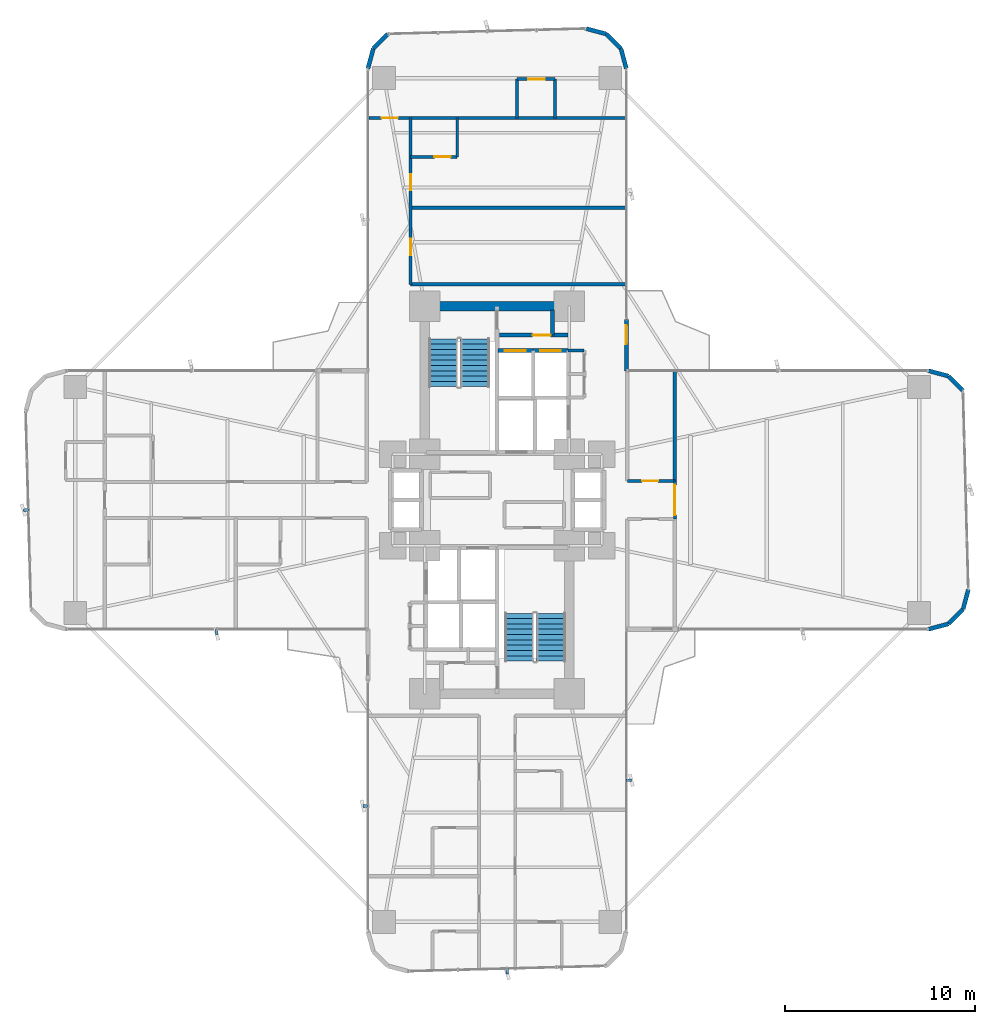
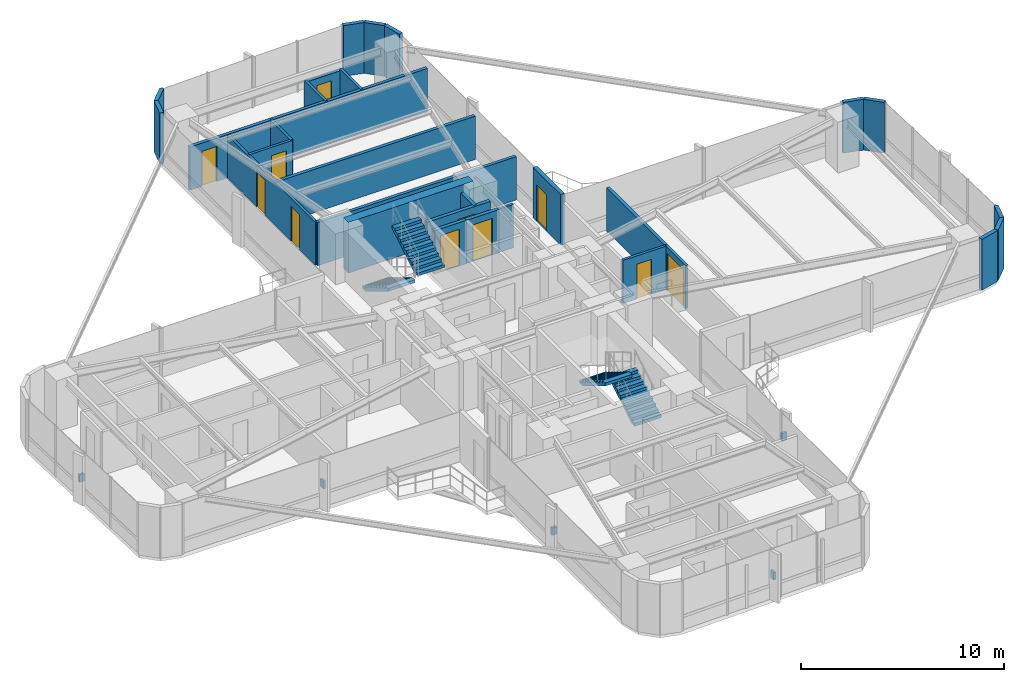
# One storey, part 24 of 26: 29 walls, 11 doors, 5 discrete accessories, 4 stair flights, 11 openings, 2 elements without a shape of their own.
"""IFC4 building model written with IfcOpenShell, lengths in metres."""

import ifcopenshell
import ifcopenshell.guid

model = None  # the IFC model being written
_history = None  # IfcOwnerHistory: only IFC2X3 demands one
_inside = {}  # id of a spatial element -> (the spatial element, [elements in it])
_under = {}  # id of a project, library or spatial element -> (it, [spatial elements below it])
_declared = {}  # id of a project -> (the project, [libraries it declares])
_typed = {}  # id of a type object -> (the type object, [elements of that type])
_made_of = {}  # id of a material, layer set ... -> (it, [elements and type objects made of it])


def new_model(schema):
    """Start an empty IFC model of exactly this schema.

    Asked for "IFC4X3", IfcOpenShell would pick the latest addendum, in which some entities
    have other attributes; the version numbers below select the first issue.
    IFC2X3 requires an IfcOwnerHistory on every rooted entity: one is made here for all.
    """
    global model, _history
    if schema == "IFC4X3":
        model = ifcopenshell.file(schema_version=(4, 3, 0, 0))
    else:
        model = ifcopenshell.file(schema=schema)
    _inside.clear()
    _under.clear()
    _declared.clear()
    _typed.clear()
    _made_of.clear()
    _history = None
    if model.schema == "IFC2X3":
        org = make("IfcOrganization", Name="unknown")
        user = make(
            "IfcPersonAndOrganization",
            ThePerson=make("IfcPerson", FamilyName="unknown"),
            TheOrganization=org,
        )
        app = make(
            "IfcApplication",
            ApplicationDeveloper=org,
            Version="unknown",
            ApplicationFullName="unknown",
            ApplicationIdentifier="unknown",
        )
        _history = make(
            "IfcOwnerHistory",
            OwningUser=user,
            OwningApplication=app,
            ChangeAction="ADDED",
            CreationDate=0,
        )
    return model


def make(cls, **values):
    """One entity of the class cls with the attributes given. An attribute that is None is left unset."""
    return model.create_entity(
        cls, **{name: value for name, value in values.items() if value is not None}
    )


def rooted(cls, **values):
    """An entity with a GlobalId (a new one), such as an element, a storey or a relation."""
    return make(cls, GlobalId=ifcopenshell.guid.new(), OwnerHistory=_history, **values)


def si_unit(unit_type, name, prefix=None):
    """IfcSIUnit, for example si_unit("LENGTHUNIT", "METRE", prefix="MILLI")."""
    return make("IfcSIUnit", UnitType=unit_type, Prefix=prefix, Name=name)


def assignment(units):
    """IfcUnitAssignment: the units of a project."""
    return None if units is None else make("IfcUnitAssignment", Units=units)


def point(xyz):
    """IfcCartesianPoint."""
    return None if xyz is None else make("IfcCartesianPoint", Coordinates=xyz)


def direction(xyz):
    """IfcDirection."""
    return None if xyz is None else make("IfcDirection", DirectionRatios=xyz)


def frame(location, z_axis=None, x_axis=None):
    """IfcAxis2Placement3D, a coordinate frame: its origin and axes. An axis left out is left unset."""
    return make(
        "IfcAxis2Placement3D",
        Location=point(location),
        Axis=direction(z_axis),
        RefDirection=direction(x_axis),
    )


def frame_2d(location, x_axis=None):
    """IfcAxis2Placement2D, a coordinate frame in the plane: its origin and x axis."""
    return make(
        "IfcAxis2Placement2D", Location=point(location), RefDirection=direction(x_axis)
    )


def origin():
    """The frame at (0, 0, 0) with its axes left unset."""
    return frame((0.0, 0.0, 0.0))


def origin_2d():
    """The frame at (0, 0) in the plane with its x axis left unset."""
    return frame_2d((0.0, 0.0))


def place(relative_to, where):
    """IfcLocalPlacement: puts the frame where relative to a parent placement (None: the world)."""
    return make(
        "IfcLocalPlacement", PlacementRelTo=relative_to, RelativePlacement=where
    )


def context(
    kind, dimensions, precision=None, world=None, true_north=None, identifier=None
):
    """IfcGeometricRepresentationContext, for example the 3D "Model" context."""
    return make(
        "IfcGeometricRepresentationContext",
        ContextIdentifier=identifier,
        ContextType=kind,
        CoordinateSpaceDimension=dimensions,
        Precision=precision,
        WorldCoordinateSystem=world,
        TrueNorth=true_north,
    )


def subcontext(parent, identifier, kind, view, scale=None):
    """IfcGeometricRepresentationSubContext, for example "Body" below "Model"."""
    return make(
        "IfcGeometricRepresentationSubContext",
        ContextIdentifier=identifier,
        ContextType=kind,
        ParentContext=parent,
        TargetScale=scale,
        TargetView=view,
    )


def project(units=None, contexts=None):
    """IfcProject with its units and contexts."""
    return rooted(
        "IfcProject",
        Name="project",
        RepresentationContexts=contexts,
        UnitsInContext=assignment(units),
    )


def spatial(cls, under=None, at=None, **own):
    """A site, building, storey or space (cls), placed at a placement, below another one or the project."""
    s = rooted(cls, ObjectPlacement=at, **own)
    if under is not None:
        _under.setdefault(under.id(), (under, []))[1].append(s)
    return s


def polyline(points):
    """IfcPolyline through the points."""
    return make("IfcPolyline", Points=[point(p) for p in points])


def profile(cls, at=None, kind="AREA", **sizes):
    """A parametric profile (cls). Its sizes go by their IFC names, for example OverallWidth=200.0."""
    return make(cls, ProfileType=kind, Position=at, **sizes)


def rectangle(**sizes):
    """IfcRectangleProfileDef."""
    return profile("IfcRectangleProfileDef", **sizes)


def outline(outer, holes=None, kind="AREA"):
    """IfcArbitraryClosedProfileDef: a profile drawn as a closed curve; with holes, ...WithVoids."""
    if holes is None:
        return make("IfcArbitraryClosedProfileDef", ProfileType=kind, OuterCurve=outer)
    return make(
        "IfcArbitraryProfileDefWithVoids",
        ProfileType=kind,
        OuterCurve=outer,
        InnerCurves=holes,
    )


def extrude(swept, where, along, depth):
    """IfcExtrudedAreaSolid: the profile swept, set in the frame where, extruded along a direction by depth."""
    return make(
        "IfcExtrudedAreaSolid",
        SweptArea=swept,
        Position=where,
        ExtrudedDirection=direction(along),
        Depth=depth,
    )


def shape(context_of_items, identifier, shape_type, items):
    """IfcShapeRepresentation: the items that make up one representation, for example the "Body"."""
    return make(
        "IfcShapeRepresentation",
        ContextOfItems=context_of_items,
        RepresentationIdentifier=identifier,
        RepresentationType=shape_type,
        Items=items,
    )


def source(mapping_origin, context_of_items, identifier, shape_type, items):
    """IfcRepresentationMap: a shape defined once, which mapped items show again and again."""
    return make(
        "IfcRepresentationMap",
        MappingOrigin=mapping_origin,
        MappedRepresentation=shape(context_of_items, identifier, shape_type, items),
    )


def transform(
    local_origin,
    x_axis=None,
    y_axis=None,
    z_axis=None,
    scale=None,
    scale2=None,
    scale3=None,
    uniform=True,
):
    """IfcCartesianTransformationOperator3D, or its non-uniform kind. x_axis, y_axis, z_axis: its Axis1, 2, 3."""
    if uniform:
        return make(
            "IfcCartesianTransformationOperator3D",
            Axis1=direction(x_axis),
            Axis2=direction(y_axis),
            LocalOrigin=point(local_origin),
            Scale=scale,
            Axis3=direction(z_axis),
        )
    return make(
        "IfcCartesianTransformationOperator3DnonUniform",
        Axis1=direction(x_axis),
        Axis2=direction(y_axis),
        LocalOrigin=point(local_origin),
        Scale=scale,
        Axis3=direction(z_axis),
        Scale2=scale2,
        Scale3=scale3,
    )


def mapped(mapping_source, mapping_target):
    """IfcMappedItem: shows the shape of a source again, moved by a transform."""
    return make(
        "IfcMappedItem", MappingSource=mapping_source, MappingTarget=mapping_target
    )


def material(Name=None, Category=None):
    """IfcMaterial."""
    return make("IfcMaterial", Name=Name, Category=Category)


def layer(
    of_material, thickness, ventilated=None, Name=None, Category=None, Priority=None
):
    """IfcMaterialLayer: one layer of a wall or slab, of a material (None: an air gap)."""
    return make(
        "IfcMaterialLayer",
        Material=of_material,
        LayerThickness=thickness,
        IsVentilated=ventilated,
        Name=Name,
        Category=Category,
        Priority=Priority,
    )


def layer_set(layers, Name=None):
    """IfcMaterialLayerSet."""
    return make("IfcMaterialLayerSet", MaterialLayers=layers, LayerSetName=Name)


def made_of(thing, what):
    """Note that an element or type object is made of a material, layer set ...; save() writes the relation."""
    if what is not None:
        _made_of.setdefault(what.id(), (what, []))[1].append(thing)
    return thing


def type_object(cls, material=None, **own):
    """A type object (cls), such as IfcWallType, which elements share."""
    return made_of(rooted(cls, **own), material)


def element(
    cls,
    number,
    at=None,
    inside=None,
    cuts=None,
    type_object=None,
    material=None,
    context=None,
    identifier="Body",
    shape_type=None,
    held_by="IfcProductDefinitionShape",
    body=None,
    shapes=None,
    **own,
):
    """One element of the class cls, such as IfcWall. Its Tag is "e" and its number.

    at: its placement. inside: the storey or other place that contains it. cuts: it is an
    opening in that element (IfcRelVoidsElement). A single representation is given by context,
    identifier, shape_type and body (its items); several are given by shapes. held_by: the class
    of the entity that holds the representations. save() writes the other relations.
    """
    e = rooted(cls, Tag="e%d" % number, ObjectPlacement=at, **own)
    if body is not None:
        shapes = [shape(context, identifier, shape_type, body)]
    if shapes is not None:
        e.Representation = make(held_by, Representations=shapes)
    if inside is not None:
        _inside.setdefault(inside.id(), (inside, []))[1].append(e)
    if cuts is not None:
        rooted(
            "IfcRelVoidsElement", RelatingBuildingElement=cuts, RelatedOpeningElement=e
        )
    if type_object is not None:
        _typed.setdefault(type_object.id(), (type_object, []))[1].append(e)
    return made_of(e, material)


def fill(opening, filler):
    """IfcRelFillsElement: the door or window that sits in an opening."""
    return rooted(
        "IfcRelFillsElement",
        RelatingOpeningElement=opening,
        RelatedBuildingElement=filler,
    )


def aggregate(whole, parts):
    """IfcRelAggregates: a whole, such as a stair, and the parts it consists of."""
    return rooted("IfcRelAggregates", RelatingObject=whole, RelatedObjects=parts)


def save(model, path):
    """Write the relations noted so far, then the file.

    IfcRelAggregates (storeys below a building ...), IfcRelContainedInSpatialStructure (elements
    in a storey), IfcRelDefinesByType, IfcRelAssociatesMaterial and IfcRelDeclares: one each for
    every whole, place, type object, material and project.
    """
    for whole, parts in _under.values():
        aggregate(whole, parts)
    for where, things in _inside.values():
        rooted(
            "IfcRelContainedInSpatialStructure",
            RelatedElements=things,
            RelatingStructure=where,
        )
    for kind, things in _typed.values():
        rooted("IfcRelDefinesByType", RelatedObjects=things, RelatingType=kind)
    for what, things in _made_of.values():
        rooted("IfcRelAssociatesMaterial", RelatedObjects=things, RelatingMaterial=what)
    for by, libraries in _declared.values():
        rooted("IfcRelDeclares", RelatingContext=by, RelatedDefinitions=libraries)
    model.write(path)


model = new_model("IFC4")

# Units and contexts
model_context = context("Model", 3, precision=1e-05, world=origin(), true_north=direction((0.0, 1.0)))
body_context = subcontext(model_context, "Body", "Model", "MODEL_VIEW")
ifc_project = project(units=[si_unit("LENGTHUNIT", "METRE"), si_unit("AREAUNIT", "SQUARE_METRE"), si_unit("VOLUMEUNIT", "CUBIC_METRE"), si_unit("PLANEANGLEUNIT", "RADIAN"), si_unit("MASSUNIT", "GRAM", prefix="KILO")], contexts=[model_context])

# Site, building, storey
site_placement = place(None, origin())
site = spatial("IfcSite", under=ifc_project, at=site_placement, CompositionType="ELEMENT")
building_placement = place(site_placement, origin())
building = spatial("IfcBuilding", under=site, at=building_placement, Name="Sahyath Konkavel Grand Hotel", CompositionType="ELEMENT")
storey_placement = place(building_placement, frame((0.0, 0.0, 43.199951171875)))
storey = spatial("IfcBuildingStorey", under=building, at=storey_placement, Name="L11", CompositionType="ELEMENT", Elevation=43.199951171875)

# Walls
ifc_material_1 = material(Name="Concrete C70/85", Category="concrete")
ifc_layer_1 = layer(ifc_material_1, 0.5)
ifc_layer_set_1 = layer_set([ifc_layer_1], Name="Concrete C70/85")
wall_type_1 = type_object("IfcWallType", Name="CWALL-500", PredefinedType="SHEAR", material=ifc_layer_set_1)
wall_1_placement = place(storey_placement, frame((-3.550048828125, 10.199951171875, 0.0), z_axis=(0.0, 0.0, 1.0), x_axis=(1.0, 0.0, 0.0)))
element("IfcWall", 1, at=wall_1_placement, inside=storey, type_object=wall_type_1, Name="L11 North Core Shear Wall N", PredefinedType="SHEAR", context=body_context, shape_type="SweptSolid", body=[
    extrude(rectangle(XDim=7.10009765625, YDim=0.5, at=frame_2d((3.550048828125, 0.0))), origin(), (0.0, 0.0, 1.0), 3.050048828125),
])
ifc_material_2 = material(Name="Warm Buff Sandstone Insulated Concrete C40/50", Category="masonry")
ifc_layer_2 = layer(ifc_material_2, 0.219970703125)
ifc_layer_set_2 = layer_set([ifc_layer_2], Name="Warm Buff Sandstone Insulated Concrete C40/50")
wall_type_2 = type_object("IfcWallType", Name="WLL-BALC-THRESH", PredefinedType="STANDARD", material=ifc_layer_set_2)
for number, where, z_axis, x_axis, name in (
    (2, (22.699951171875, -6.800048828125, 0.0), (0.0, 0.0, 1.0), (0.965951058412, 0.25872485917, 0.0), "L11 Rounded Corner Sandstone Pier 1"),
    (3, (23.75, -6.518798828125, 0.0), (0.0, 0.0, 1.0), (0.707106781187, 0.707106781187, 0.0), "L11 Rounded Corner Sandstone Pier 2"),
    (4, (24.518798828125, -5.75, 0.0), (0.0, 0.0, 1.0), (0.25872485917, 0.965951058412, 0.0), "L11 Rounded Corner Sandstone Pier 3"),
    (5, (24.518798828125, 5.75, 0.0), (0.0, 0.0, 1.0), (-0.707106781187, 0.707106781187, 0.0), "L11 Rounded Corner Sandstone Pier 5"),
    (6, (23.75, 6.518798828125, 0.0), (0.0, 0.0, 1.0), (-0.965951058412, 0.25872485917, 0.0), "L11 Rounded Corner Sandstone Pier 6"),
):
    element("IfcWall", number, at=place(storey_placement, frame(where, z_axis=z_axis, x_axis=x_axis)), inside=storey, type_object=wall_type_2, Name=name, PredefinedType="STANDARD", context=body_context, shape_type="SweptSolid", body=[
        extrude(rectangle(XDim=1.087158203125, YDim=0.219970703125, at=frame_2d((0.54345703125, 0.0))), origin(), (0.0, 0.0, 1.0), 3.050048828125),
    ])

# Wall, opening, door
wall_2_placement = place(storey_placement, frame((6.800048828125, 6.800048828125, 0.0), z_axis=(0.0, 0.0, 1.0), x_axis=(0.0, 1.0, 0.0)))
wall_2 = element("IfcWall", 7, at=wall_2_placement, inside=storey, type_object=wall_type_2, Name="L11 Winter-Garden Threshold Wall 8", PredefinedType="STANDARD", context=body_context, shape_type="SweptSolid", body=[
    extrude(rectangle(XDim=2.699951171875, YDim=0.219970703125, at=frame_2d((1.35009765625, 0.0))), origin(), (0.0, 0.0, 1.0), 3.050048828125),
])
opening_1_placement = place(wall_2_placement, frame((1.39990234375, 0.0, 0.0)))
opening_1 = element("IfcOpeningElement", 8, at=opening_1_placement, cuts=wall_2, Name="Opening D-TR1", PredefinedType="OPENING", context=body_context, shape_type="SweptSolid", body=[
    extrude(rectangle(XDim=1.0, YDim=2.199951171875, at=frame_2d((0.5, 1.10009765625))), frame((0.0, 0.1201171875, 0.0), z_axis=(0.0, -1.0, 0.0), x_axis=(1.0, 0.0, 0.0)), (0.0, 0.0, 1.0), 0.239990234375),
])
ifc_material_3 = material(Name="Anodised Bronze Aluminium & Low-E Glazing", Category="aluminium")
door_type_1 = type_object("IfcDoorType", Name="DR-TERRACE-1000", OperationType="NOTDEFINED", PredefinedType="DOOR", material=ifc_material_3)
shared_shape_1 = source(origin(), body_context, "Body", "SweptSolid", [
    extrude(rectangle(XDim=1.0, YDim=0.050048828125, at=origin_2d()), origin(), (0.0, 0.0, 1.0), 2.199951171875),
])
door_1_placement = place(opening_1_placement, frame((0.5, 0.0, 0.0)))
door_1 = element("IfcDoor", 9, at=door_1_placement, inside=storey, type_object=door_type_1, Name="L11 Winter-Garden Terrace Door 8", OperationType="SINGLE_SWING_LEFT", OverallHeight=2.199951171875, OverallWidth=1.0, PredefinedType="DOOR", context=body_context, shape_type="MappedRepresentation", body=[
    mapped(shared_shape_1, transform((0.0, 0.0, 0.0), scale=1.0)),
])
fill(opening_1, door_1)

# Walls
for number, where, z_axis, x_axis, name in (
    (10, (6.800048828125, 22.699951171875, 0.0), (0.0, 0.0, 1.0), (-0.25872485917, 0.965951058412, 0.0), "L11 Rounded Corner Sandstone Pier 9"),
    (11, (6.518798828125, 23.75, 0.0), (0.0, 0.0, 1.0), (-0.707106781187, 0.707106781187, 0.0), "L11 Rounded Corner Sandstone Pier 10"),
    (12, (5.75, 24.518798828125, 0.0), (0.0, 0.0, 1.0), (-0.965951058412, 0.25872485917, 0.0), "L11 Rounded Corner Sandstone Pier 11"),
    (13, (-5.75, 24.518798828125, 0.0), (0.0, 0.0, 1.0), (-0.707106781187, -0.707106781187, 0.0), "L11 Rounded Corner Sandstone Pier 13"),
    (14, (-6.518798828125, 23.75, 0.0), (0.0, 0.0, 1.0), (-0.25872485917, -0.965951058412, 0.0), "L11 Rounded Corner Sandstone Pier 14"),
):
    element("IfcWall", number, at=place(storey_placement, frame(where, z_axis=z_axis, x_axis=x_axis)), inside=storey, type_object=wall_type_2, Name=name, PredefinedType="STANDARD", context=body_context, shape_type="SweptSolid", body=[
        extrude(rectangle(XDim=1.087158203125, YDim=0.219970703125, at=frame_2d((0.54345703125, 0.0))), origin(), (0.0, 0.0, 1.0), 3.050048828125),
    ])

# Wall, opening, door
ifc_material_4 = material(Name="Concrete C40/50", Category="concrete")
ifc_layer_3 = layer(ifc_material_4, 0.199951171875)
ifc_layer_set_3 = layer_set([ifc_layer_3], Name="Concrete C40/50")
wall_type_3 = type_object("IfcWallType", Name="WLL-CORE-200", PredefinedType="SOLIDWALL", material=ifc_layer_set_3)
wall_3_placement = place(storey_placement, frame((0.050048828125, 7.860107421875, 0.0), z_axis=(0.0, 0.0, 1.0), x_axis=(1.0, 0.0, 0.0)))
wall_3 = element("IfcWall", 15, at=wall_3_placement, inside=storey, type_object=wall_type_3, Name="L11 Partition SH-PL1-N", PredefinedType="SOLIDWALL", context=body_context, shape_type="SweptSolid", body=[
    extrude(rectangle(XDim=1.849853515625, YDim=0.199951171875, at=frame_2d((0.9248046875, 0.0))), origin(), (0.0, 0.0, 1.0), 2.60009765625),
])
opening_2_placement = place(wall_3_placement, frame((0.360107421875, 0.0, 0.0)))
opening_2 = element("IfcOpeningElement", 16, at=opening_2_placement, cuts=wall_3, Name="Opening LD-11", PredefinedType="OPENING", context=body_context, shape_type="SweptSolid", body=[
    extrude(rectangle(XDim=1.10009765625, YDim=2.199951171875, at=frame_2d((0.550048828125, 1.10009765625))), frame((0.0, 0.10986328125, 0.0), z_axis=(0.0, -1.0, 0.0), x_axis=(1.0, 0.0, 0.0)), (0.0, 0.0, 1.0), 0.219970703125),
])
ifc_material_5 = material(Name="Bronze Lift Landing Door 1100")
door_type_2 = type_object("IfcDoorType", Name="DR-LIFT-1100", OperationType="DOUBLE_DOOR_SLIDING", PredefinedType="DOOR", material=ifc_material_5)
shared_shape_2 = source(origin(), body_context, "Body", "SweptSolid", [
    extrude(rectangle(XDim=1.10009765625, YDim=0.050048828125, at=origin_2d()), origin(), (0.0, 0.0, 1.0), 2.199951171875),
])
door_2_placement = place(opening_2_placement, frame((0.550048828125, 0.0, 0.0)))
door_2 = element("IfcDoor", 17, at=door_2_placement, inside=storey, type_object=door_type_2, Name="L11 Passenger Lift PL-1 Landing Door", OperationType="DOUBLE_DOOR_SLIDING", OverallHeight=2.199951171875, OverallWidth=1.10009765625, PredefinedType="DOOR", context=body_context, shape_type="MappedRepresentation", body=[
    mapped(shared_shape_2, transform((0.0, 0.0, 0.0), scale=1.0)),
])
fill(opening_2, door_2)

wall_4_placement = place(storey_placement, frame((1.89990234375, 7.860107421875, 0.0), z_axis=(0.0, 0.0, 1.0), x_axis=(1.0, 0.0, 0.0)))
wall_4 = element("IfcWall", 18, at=wall_4_placement, inside=storey, type_object=wall_type_3, Name="L11 Partition SH-PL2-N", PredefinedType="SOLIDWALL", context=body_context, shape_type="SweptSolid", body=[
    extrude(rectangle(XDim=1.840087890625, YDim=0.199951171875, at=frame_2d((0.919921875, 0.0))), origin(), (0.0, 0.0, 1.0), 2.60009765625),
])
opening_3_placement = place(wall_4_placement, frame((0.360107421875, 0.0, 0.0)))
opening_3 = element("IfcOpeningElement", 19, at=opening_3_placement, cuts=wall_4, Name="Opening LD-11", PredefinedType="OPENING", context=body_context, shape_type="SweptSolid", body=[
    extrude(rectangle(XDim=1.10009765625, YDim=2.199951171875, at=frame_2d((0.550048828125, 1.10009765625))), frame((0.0, 0.10986328125, 0.0), z_axis=(0.0, -1.0, 0.0), x_axis=(1.0, 0.0, 0.0)), (0.0, 0.0, 1.0), 0.219970703125),
])
door_3_placement = place(opening_3_placement, frame((0.550048828125, 0.0, 0.0)))
door_3 = element("IfcDoor", 20, at=door_3_placement, inside=storey, type_object=door_type_2, Name="L11 Passenger Lift PL-2 Landing Door", OperationType="DOUBLE_DOOR_SLIDING", OverallHeight=2.199951171875, OverallWidth=1.10009765625, PredefinedType="DOOR", context=body_context, shape_type="MappedRepresentation", body=[
    mapped(shared_shape_2, transform((0.0, 0.0, 0.0), scale=1.0)),
])
fill(opening_3, door_3)

wall_5_placement = place(storey_placement, frame((0.1201171875, 8.679931640625, 0.0), z_axis=(0.0, 0.0, 1.0), x_axis=(1.0, 0.0, 0.0)))
wall_5 = element("IfcWall", 21, at=wall_5_placement, inside=storey, type_object=wall_type_3, Name="L11 North FF Lobby Separation Wall", PredefinedType="SOLIDWALL", context=body_context, shape_type="SweptSolid", body=[
    extrude(rectangle(XDim=3.619873046875, YDim=0.199951171875, at=frame_2d((1.81005859375, 0.0))), origin(), (0.0, 0.0, 1.0), 2.60009765625),
])
opening_4_placement = place(wall_5_placement, frame((1.75, 0.0, 0.0)))
opening_4 = element("IfcOpeningElement", 22, at=opening_4_placement, cuts=wall_5, Name="Opening D-F12C", PredefinedType="OPENING", context=body_context, shape_type="SweptSolid", body=[
    extrude(rectangle(XDim=0.949951171875, YDim=2.14990234375, at=frame_2d((0.47509765625, 1.074951171875))), frame((0.0, 0.10986328125, 0.0), z_axis=(0.0, -1.0, 0.0), x_axis=(1.0, 0.0, 0.0)), (0.0, 0.0, 1.0), 0.219970703125),
])
ifc_material_6 = material(Name="Steel E350 Plant Fire Door", Category="steel")
door_type_3 = type_object("IfcDoorType", Name="DR-FD120-950", OperationType="NOTDEFINED", PredefinedType="DOOR", material=ifc_material_6)
shared_shape_3 = source(origin(), body_context, "Body", "SweptSolid", [
    extrude(rectangle(XDim=0.949951171875, YDim=0.050048828125, at=origin_2d()), origin(), (0.0, 0.0, 1.0), 2.14990234375),
])
door_4_placement = place(opening_4_placement, frame((0.47509765625, 0.0, 0.0)))
door_4 = element("IfcDoor", 23, at=door_4_placement, inside=storey, type_object=door_type_3, Name="L11 North Firefighting Lobby Door", OperationType="SINGLE_SWING_RIGHT", OverallHeight=2.14990234375, OverallWidth=0.949951171875, PredefinedType="DOOR", context=body_context, shape_type="MappedRepresentation", body=[
    mapped(shared_shape_3, transform((0.0, 0.0, 0.0), scale=1.0)),
])
fill(opening_4, door_4)

# Walls
wall_6_placement = place(storey_placement, frame((2.919921875, 8.679931640625, 0.0), z_axis=(0.0, 0.0, 1.0), x_axis=(0.0, 1.0, 0.0)))
element("IfcWall", 24, at=wall_6_placement, inside=storey, type_object=wall_type_3, Name="L11 Partition NFF-E2", PredefinedType="SOLIDWALL", context=body_context, shape_type="SweptSolid", body=[
    extrude(rectangle(XDim=1.320068359375, YDim=0.199951171875, at=frame_2d((0.66015625, 0.0))), origin(), (0.0, 0.0, 1.0), 2.60009765625),
])
ifc_material_7 = material(Name="Twin-Stud Acoustic Gypsum Plasterboard Partition")
ifc_layer_4 = layer(ifc_material_7, 0.179931640625)
ifc_layer_set_4 = layer_set([ifc_layer_4], Name="Twin-Stud Acoustic Gypsum Plasterboard Partition")
wall_type_4 = type_object("IfcWallType", Name="WLL-DEMISE-180", PredefinedType="PARTITIONING", material=ifc_layer_set_4)
wall_7_placement = place(storey_placement, frame((9.35009765625, 1.0, 0.0), z_axis=(0.0, 0.0, 1.0), x_axis=(0.0, 1.0, 0.0)))
element("IfcWall", 25, at=wall_7_placement, inside=storey, type_object=wall_type_4, Name="L11 Partition E-EST0-DEM", PredefinedType="PARTITIONING", context=body_context, shape_type="SweptSolid", body=[
    extrude(rectangle(XDim=5.75, YDim=0.179931640625, at=frame_2d((2.875, 0.0))), origin(), (0.0, 0.0, 1.0), 2.60009765625),
])
for number, where, z_axis, x_axis, name in (
    (26, (6.75, 11.35009765625, 0.0), (0.0, 0.0, 1.0), (-1.0, 0.0, 0.0), "L11 Partition N-G5I"),
    (27, (-4.550048828125, 15.375, 0.0), (0.0, 0.0, 1.0), (1.0, 0.0, 0.0), "L11 Partition N-ND1-DEM"),
):
    element("IfcWall", number, at=place(storey_placement, frame(where, z_axis=z_axis, x_axis=x_axis)), inside=storey, type_object=wall_type_4, Name=name, PredefinedType="PARTITIONING", context=body_context, shape_type="SweptSolid", body=[
        extrude(rectangle(XDim=11.300048828125, YDim=0.179931640625, at=frame_2d((5.64990234375, 0.0))), origin(), (0.0, 0.0, 1.0), 2.60009765625),
    ])

# Wall, opening, door
wall_8_placement = place(storey_placement, frame((6.75, 20.10009765625, 0.0), z_axis=(0.0, 0.0, 1.0), x_axis=(-1.0, 0.0, 0.0)))
wall_8 = element("IfcWall", 28, at=wall_8_placement, inside=storey, type_object=wall_type_4, Name="L11 Partition N-NTIP-END", PredefinedType="PARTITIONING", context=body_context, shape_type="SweptSolid", body=[
    extrude(rectangle(XDim=13.5, YDim=0.179931640625, at=frame_2d((6.75, 0.0))), origin(), (0.0, 0.0, 1.0), 2.60009765625),
])
opening_5_placement = place(wall_8_placement, frame((11.97509765625, 0.0, 0.0)))
opening_5 = element("IfcOpeningElement", 29, at=opening_5_placement, cuts=wall_8, Name="Opening D-F06D", PredefinedType="OPENING", context=body_context, shape_type="SweptSolid", body=[
    extrude(rectangle(XDim=0.85009765625, YDim=2.10009765625, at=frame_2d((0.425048828125, 1.050048828125))), frame((0.0, 0.10009765625, 0.0), z_axis=(0.0, -1.0, 0.0), x_axis=(1.0, 0.0, 0.0)), (0.0, 0.0, 1.0), 0.199951171875),
])
ifc_material_8 = material(Name="Fire-Rated Shaft Access Door")
door_type_4 = type_object("IfcDoorType", Name="DR-FD60-850", OperationType="NOTDEFINED", PredefinedType="DOOR", material=ifc_material_8)
shared_shape_4 = source(origin(), body_context, "Body", "SweptSolid", [
    extrude(rectangle(XDim=0.85009765625, YDim=0.050048828125, at=origin_2d()), origin(), (0.0, 0.0, 1.0), 2.10009765625),
])
door_5_placement = place(opening_5_placement, frame((0.425048828125, 0.0, 0.0)))
door_5 = element("IfcDoor", 30, at=door_5_placement, inside=storey, type_object=door_type_4, Name="L11 Door N-NTIP-ED", OperationType="SINGLE_SWING_RIGHT", OverallHeight=2.10009765625, OverallWidth=0.85009765625, PredefinedType="DOOR", context=body_context, shape_type="MappedRepresentation", body=[
    mapped(shared_shape_4, transform((0.0, 0.0, 0.0), scale=1.0)),
])
fill(opening_5, door_5)

# Wall
ifc_material_9 = material(Name="Fire-Rated Gypsum Plasterboard Partition")
ifc_layer_5 = layer(ifc_material_9, 0.14990234375)
ifc_layer_set_5 = layer_set([ifc_layer_5], Name="Fire-Rated Gypsum Plasterboard Partition")
wall_type_5 = type_object("IfcWallType", Name="WLL-PART-150", PredefinedType="PARTITIONING", material=ifc_layer_set_5)
wall_9_placement = place(storey_placement, frame((3.739990234375, 7.860107421875, 0.0), z_axis=(0.0, 0.0, 1.0), x_axis=(1.0, 0.0, 0.0)))
element("IfcWall", 31, at=wall_9_placement, inside=storey, type_object=wall_type_5, Name="L11 Partition NC-FLK-N", PredefinedType="PARTITIONING", context=body_context, shape_type="SweptSolid", body=[
    extrude(rectangle(XDim=0.840087890625, YDim=0.14990234375, at=frame_2d((0.419921875, 0.0))), origin(), (0.0, 0.0, 1.0), 2.60009765625),
])

# Wall, opening, door
wall_10_placement = place(storey_placement, frame((6.85009765625, 1.0, 0.0), z_axis=(0.0, 0.0, 1.0), x_axis=(1.0, 0.0, 0.0)))
wall_10 = element("IfcWall", 32, at=wall_10_placement, inside=storey, type_object=wall_type_5, Name="L11 Partition E-C0L", PredefinedType="PARTITIONING", context=body_context, shape_type="SweptSolid", body=[
    extrude(rectangle(XDim=2.5, YDim=0.14990234375, at=frame_2d((1.25, 0.0))), origin(), (0.0, 0.0, 1.0), 2.60009765625),
])
opening_6_placement = place(wall_10_placement, frame((0.77490234375, 0.0, 0.0)))
opening_6 = element("IfcOpeningElement", 33, at=opening_6_placement, cuts=wall_10, Name="Opening D-F06D", PredefinedType="OPENING", context=body_context, shape_type="SweptSolid", body=[
    extrude(rectangle(XDim=0.85009765625, YDim=2.10009765625, at=frame_2d((0.425048828125, 1.050048828125))), frame((0.0, 0.0849609375, 0.0), z_axis=(0.0, -1.0, 0.0), x_axis=(1.0, 0.0, 0.0)), (0.0, 0.0, 1.0), 0.169921875),
])
door_6_placement = place(opening_6_placement, frame((0.425048828125, 0.0, 0.0)))
door_6 = element("IfcDoor", 34, at=door_6_placement, inside=storey, type_object=door_type_4, Name="L11 Door E-EST0-D", OperationType="SINGLE_SWING_LEFT", OverallHeight=2.10009765625, OverallWidth=0.85009765625, PredefinedType="DOOR", context=body_context, shape_type="MappedRepresentation", body=[
    mapped(shared_shape_4, transform((0.0, 0.0, 0.0), scale=1.0)),
])
fill(opening_6, door_6)

wall_11_placement = place(storey_placement, frame((9.35009765625, -1.0, 0.0), z_axis=(0.0, 0.0, 1.0), x_axis=(0.0, 1.0, 0.0)))
wall_11 = element("IfcWall", 35, at=wall_11_placement, inside=storey, type_object=wall_type_5, Name="L11 Partition E-SAL-IN", PredefinedType="PARTITIONING", context=body_context, shape_type="SweptSolid", body=[
    extrude(rectangle(XDim=2.0, YDim=0.14990234375, at=frame_2d((1.0, 0.0))), origin(), (0.0, 0.0, 1.0), 2.60009765625),
])
opening_7_placement = place(wall_11_placement, frame((0.199951171875, 0.0, 0.0)))
opening_7 = element("IfcOpeningElement", 36, at=opening_7_placement, cuts=wall_11, Name="Opening D-DB16", PredefinedType="OPENING", context=body_context, shape_type="SweptSolid", body=[
    extrude(rectangle(XDim=1.60009765625, YDim=2.25, at=frame_2d((0.800048828125, 1.125))), frame((0.0, 0.0849609375, 0.0), z_axis=(0.0, -1.0, 0.0), x_axis=(1.0, 0.0, 0.0)), (0.0, 0.0, 1.0), 0.169921875),
])
ifc_material_10 = material(Name="Double Leaf Lounge Glazed Timber Door", Category="wood")
door_type_5 = type_object("IfcDoorType", Name="DR-DBL-1600", OperationType="DOUBLE_DOOR_SINGLE_SWING", PredefinedType="DOOR", material=ifc_material_10)
shared_shape_5 = source(origin(), body_context, "Body", "SweptSolid", [
    extrude(rectangle(XDim=1.60009765625, YDim=0.050048828125, at=origin_2d()), origin(), (0.0, 0.0, 1.0), 2.25),
])
door_7_placement = place(opening_7_placement, frame((0.800048828125, 0.0, 0.0)))
door_7 = element("IfcDoor", 37, at=door_7_placement, inside=storey, type_object=door_type_5, Name="L11 Door E-SAL-D", OperationType="DOUBLE_DOOR_SINGLE_SWING", OverallHeight=2.25, OverallWidth=1.60009765625, PredefinedType="DOOR", context=body_context, shape_type="MappedRepresentation", body=[
    mapped(shared_shape_5, transform((0.0, 0.0, 0.0), scale=1.0)),
])
fill(opening_7, door_7)

# Wall, openings, doors
wall_12_placement = place(storey_placement, frame((-4.550048828125, 11.35009765625, 0.0), z_axis=(0.0, 0.0, 1.0), x_axis=(0.0, 1.0, 0.0)))
wall_12 = element("IfcWall", 38, at=wall_12_placement, inside=storey, type_object=wall_type_5, Name="L11 Partition N-G5W", PredefinedType="PARTITIONING", context=body_context, shape_type="SweptSolid", body=[
    extrude(rectangle(XDim=8.75, YDim=0.14990234375, at=frame_2d((4.375, 0.0))), origin(), (0.0, 0.0, 1.0), 2.570068359375),
])
opening_8_placement = place(wall_12_placement, frame((1.5380859375, 0.0, 0.0)))
opening_8 = element("IfcOpeningElement", 39, at=opening_8_placement, cuts=wall_12, Name="Opening D-F06D", PredefinedType="OPENING", context=body_context, shape_type="SweptSolid", body=[
    extrude(rectangle(XDim=0.85009765625, YDim=2.10009765625, at=frame_2d((0.425048828125, 1.050048828125))), frame((0.0, 0.0849609375, 0.0), z_axis=(0.0, -1.0, 0.0), x_axis=(1.0, 0.0, 0.0)), (0.0, 0.0, 1.0), 0.169921875),
])
opening_9_placement = place(wall_12_placement, frame((4.93701171875, 0.0, 0.0)))
opening_9 = element("IfcOpeningElement", 40, at=opening_9_placement, cuts=wall_12, Name="Opening D-F06D", PredefinedType="OPENING", context=body_context, shape_type="SweptSolid", body=[
    extrude(rectangle(XDim=0.85009765625, YDim=2.10009765625, at=frame_2d((0.425048828125, 1.050048828125))), frame((0.0, 0.0849609375, 0.0), z_axis=(0.0, -1.0, 0.0), x_axis=(1.0, 0.0, 0.0)), (0.0, 0.0, 1.0), 0.169921875),
])
door_8_placement = place(opening_8_placement, frame((0.425048828125, 0.0, 0.0)))
door_8 = element("IfcDoor", 41, at=door_8_placement, inside=storey, type_object=door_type_4, Name="L11 Door N-ND1-D", OperationType="SINGLE_SWING_RIGHT", OverallHeight=2.10009765625, OverallWidth=0.85009765625, PredefinedType="DOOR", context=body_context, shape_type="MappedRepresentation", body=[
    mapped(shared_shape_4, transform((0.0, 0.0, 0.0), scale=1.0)),
])
fill(opening_8, door_8)
door_9_placement = place(opening_9_placement, frame((0.425048828125, 0.0, 0.0)))
door_9 = element("IfcDoor", 42, at=door_9_placement, inside=storey, type_object=door_type_4, Name="L11 Door N-ND2-ED", OperationType="SINGLE_SWING_RIGHT", OverallHeight=2.10009765625, OverallWidth=0.85009765625, PredefinedType="DOOR", context=body_context, shape_type="MappedRepresentation", body=[
    mapped(shared_shape_4, transform((0.0, 0.0, 0.0), scale=1.0)),
])
fill(opening_9, door_9)

# Wall, opening, door
wall_13_placement = place(storey_placement, frame((-4.550048828125, 18.050048828125, 0.0), z_axis=(0.0, 0.0, 1.0), x_axis=(1.0, 0.0, 0.0)))
wall_13 = element("IfcWall", 43, at=wall_13_placement, inside=storey, type_object=wall_type_5, Name="L11 Partition N-ND2-BS", PredefinedType="PARTITIONING", context=body_context, shape_type="SweptSolid", body=[
    extrude(rectangle(XDim=2.449951171875, YDim=0.14990234375, at=frame_2d((1.22509765625, 0.0))), origin(), (0.0, 0.0, 1.0), 2.60009765625),
])
opening_10_placement = place(wall_13_placement, frame((1.25, 0.0, 0.0)))
opening_10 = element("IfcOpeningElement", 44, at=opening_10_placement, cuts=wall_13, Name="Opening D-BT85", PredefinedType="OPENING", context=body_context, shape_type="SweptSolid", body=[
    extrude(rectangle(XDim=0.85009765625, YDim=2.10009765625, at=frame_2d((0.425048828125, 1.050048828125))), frame((0.0, 0.0849609375, 0.0), z_axis=(0.0, -1.0, 0.0), x_axis=(1.0, 0.0, 0.0)), (0.0, 0.0, 1.0), 0.169921875),
])
ifc_material_11 = material(Name="Moisture-Resistant Teak Bathroom Door")
door_type_6 = type_object("IfcDoorType", Name="DR-BATH-850", OperationType="NOTDEFINED", PredefinedType="DOOR", material=ifc_material_11)
door_10_placement = place(opening_10_placement, frame((0.425048828125, 0.0, 0.0)))
door_10 = element("IfcDoor", 45, at=door_10_placement, inside=storey, type_object=door_type_6, Name="L11 Door N-ND2-BD", OperationType="SINGLE_SWING_LEFT", OverallHeight=2.10009765625, OverallWidth=0.85009765625, PredefinedType="DOOR", context=body_context, shape_type="MappedRepresentation", body=[
    mapped(shared_shape_4, transform((0.0, 0.0, 0.0), scale=1.0)),
])
fill(opening_10, door_10)

# Walls
wall_14_placement = place(storey_placement, frame((-2.10009765625, 18.050048828125, 0.0), z_axis=(0.0, 0.0, 1.0), x_axis=(0.0, 1.0, 0.0)))
element("IfcWall", 46, at=wall_14_placement, inside=storey, type_object=wall_type_5, Name="L11 Partition N-ND2-BF", PredefinedType="PARTITIONING", context=body_context, shape_type="SweptSolid", body=[
    extrude(rectangle(XDim=2.050048828125, YDim=0.14990234375, at=frame_2d((1.02490234375, 0.0))), origin(), (0.0, 0.0, 1.0), 2.60009765625),
])
for number, where, z_axis, x_axis, name in (
    (47, (1.050048828125, 20.10009765625, 0.0), (0.0, 0.0, 1.0), (0.0, 1.0, 0.0), "L11 Partition N-NTIP-BN"),
    (48, (3.050048828125, 20.10009765625, 0.0), (0.0, 0.0, 1.0), (0.0, 1.0, 0.0), "L11 Partition N-NTIP-BS"),
):
    element("IfcWall", number, at=place(storey_placement, frame(where, z_axis=z_axis, x_axis=x_axis)), inside=storey, type_object=wall_type_5, Name=name, PredefinedType="PARTITIONING", context=body_context, shape_type="SweptSolid", body=[
        extrude(rectangle(XDim=2.0498046875, YDim=0.14990234375, at=frame_2d((1.02490234375, 0.0))), origin(), (0.0, 0.0, 1.0), 2.60009765625),
    ])

# Wall, opening, door
wall_15_placement = place(storey_placement, frame((3.050048828125, 22.14990234375, 0.0), z_axis=(0.0, 0.0, 1.0), x_axis=(-1.0, 0.0, 0.0)))
wall_15 = element("IfcWall", 49, at=wall_15_placement, inside=storey, type_object=wall_type_5, Name="L11 Partition N-NTIP-BE", PredefinedType="PARTITIONING", context=body_context, shape_type="SweptSolid", body=[
    extrude(rectangle(XDim=2.0, YDim=0.14990234375, at=frame_2d((1.0, 0.0))), origin(), (0.0, 0.0, 1.0), 2.52001953125),
])
opening_11_placement = place(wall_15_placement, frame((0.550048828125, 0.0, 0.0)))
opening_11 = element("IfcOpeningElement", 50, at=opening_11_placement, cuts=wall_15, Name="Opening D-BT85", PredefinedType="OPENING", context=body_context, shape_type="SweptSolid", body=[
    extrude(rectangle(XDim=0.85009765625, YDim=2.10009765625, at=frame_2d((0.425048828125, 1.050048828125))), frame((0.0, 0.0849609375, 0.0), z_axis=(0.0, -1.0, 0.0), x_axis=(1.0, 0.0, 0.0)), (0.0, 0.0, 1.0), 0.169921875),
])
door_11_placement = place(opening_11_placement, frame((0.425048828125, 0.0, 0.0)))
door_11 = element("IfcDoor", 51, at=door_11_placement, inside=storey, type_object=door_type_6, Name="L11 Door N-NTIP-BD", OperationType="SINGLE_SWING_LEFT", OverallHeight=2.10009765625, OverallWidth=0.85009765625, PredefinedType="DOOR", context=body_context, shape_type="MappedRepresentation", body=[
    mapped(shared_shape_4, transform((0.0, 0.0, 0.0), scale=1.0)),
])
fill(opening_11, door_11)

# Stair, stair flights
stair_type = type_object("IfcStairType", Name="STR-ST16-335", PredefinedType="HALF_TURN_STAIR", material=ifc_material_4)
stair_1_placement = place(storey_placement, origin())
stair_1 = element("IfcStair", 52, at=stair_1_placement, inside=storey, type_object=stair_type, Name="L11 North Core Smokeproof Exit Stair ST-1", PredefinedType="HALF_TURN_STAIR")
stair_flight_type = type_object("IfcStairFlightType", Name="STF-ST16-335", PredefinedType="STRAIGHT", material=ifc_material_4)
stair_flight_1_placement = place(storey_placement, frame((-2.840087890625, 8.47998046875, 0.0), z_axis=(0.0, 0.0, 1.0), x_axis=(0.0, -1.0, 0.0)))
stair_flight_1 = element("IfcStairFlight", 53, at=stair_flight_1_placement, type_object=stair_flight_type, Name="ST-1 flight 1", NumberOfRisers=10, NumberOfTreads=9, PredefinedType="STRAIGHT", RiserHeight=0.1675, TreadLength=0.28, context=body_context, shape_type="SweptSolid", body=[
    extrude(outline(polyline([(0.0, 0.0), (0.0, 0.16748046875), (0.280029296875, 0.16748046875), (0.280029296875, 0.3349609375), (0.56005859375, 0.3349609375), (0.56005859375, 0.50244140625), (0.840087890625, 0.50244140625), (0.840087890625, 0.669921875), (1.1201171875, 0.669921875), (1.1201171875, 0.83740234375), (1.39990234375, 0.83740234375), (1.39990234375, 1.0048828125), (1.679931640625, 1.0048828125), (1.679931640625, 1.172607421875), (1.9599609375, 1.172607421875), (1.9599609375, 1.340087890625), (2.239990234375, 1.340087890625), (2.239990234375, 1.507568359375), (2.52001953125, 1.507568359375), (2.52001953125, 1.675048828125), (2.52001953125, 1.332763671875), (0.2919921875, 0.0), (0.0, 0.0)])), frame((0.0, 0.760009765625, 0.0), z_axis=(0.0, -1.0, 0.0), x_axis=(1.0, 0.0, 0.0)), (0.0, 0.0, 1.0), 1.52001953125),
])
stair_flight_2_placement = place(storey_placement, frame((-1.159912109375, 5.9599609375, 1.675048828125), z_axis=(0.0, 0.0, 1.0), x_axis=(0.0, 1.0, 0.0)))
stair_flight_2 = element("IfcStairFlight", 54, at=stair_flight_2_placement, type_object=stair_flight_type, Name="ST-1 flight 2", NumberOfRisers=10, NumberOfTreads=9, PredefinedType="STRAIGHT", RiserHeight=0.1675, TreadLength=0.28, context=body_context, shape_type="SweptSolid", body=[
    extrude(outline(polyline([(0.0, 0.0), (0.0, 0.16748046875), (0.280029296875, 0.16748046875), (0.280029296875, 0.3349609375), (0.56005859375, 0.3349609375), (0.56005859375, 0.50244140625), (0.840087890625, 0.50244140625), (0.840087890625, 0.669921875), (1.1201171875, 0.669921875), (1.1201171875, 0.83740234375), (1.39990234375, 0.83740234375), (1.39990234375, 1.0048828125), (1.679931640625, 1.0048828125), (1.679931640625, 1.172607421875), (1.9599609375, 1.172607421875), (1.9599609375, 1.340087890625), (2.239990234375, 1.340087890625), (2.239990234375, 1.507568359375), (2.52001953125, 1.507568359375), (2.52001953125, 1.675048828125), (2.52001953125, 1.332763671875), (0.2919921875, 0.0), (0.0, 0.0)])), frame((0.0, 0.760009765625, 0.0), z_axis=(0.0, -1.0, 0.0), x_axis=(1.0, 0.0, 0.0)), (0.0, 0.0, 1.0), 1.52001953125),
])
aggregate(stair_1, [stair_flight_1, stair_flight_2])

stair_2_placement = place(storey_placement, origin())
stair_2 = element("IfcStair", 55, at=stair_2_placement, inside=storey, type_object=stair_type, Name="L11 South Core Smokeproof Exit Stair ST-2", PredefinedType="HALF_TURN_STAIR")
stair_flight_3_placement = place(storey_placement, frame((2.840087890625, -8.47998046875, 0.0), z_axis=(0.0, 0.0, 1.0), x_axis=(0.0, 1.0, 0.0)))
stair_flight_3 = element("IfcStairFlight", 56, at=stair_flight_3_placement, type_object=stair_flight_type, Name="ST-2 flight 1", NumberOfRisers=10, NumberOfTreads=9, PredefinedType="STRAIGHT", RiserHeight=0.1675, TreadLength=0.28, context=body_context, shape_type="SweptSolid", body=[
    extrude(outline(polyline([(0.0, 0.0), (0.0, 0.16748046875), (0.280029296875, 0.16748046875), (0.280029296875, 0.3349609375), (0.56005859375, 0.3349609375), (0.56005859375, 0.50244140625), (0.840087890625, 0.50244140625), (0.840087890625, 0.669921875), (1.1201171875, 0.669921875), (1.1201171875, 0.83740234375), (1.39990234375, 0.83740234375), (1.39990234375, 1.0048828125), (1.679931640625, 1.0048828125), (1.679931640625, 1.172607421875), (1.9599609375, 1.172607421875), (1.9599609375, 1.340087890625), (2.239990234375, 1.340087890625), (2.239990234375, 1.507568359375), (2.52001953125, 1.507568359375), (2.52001953125, 1.675048828125), (2.52001953125, 1.332763671875), (0.2919921875, 0.0), (0.0, 0.0)])), frame((0.0, 0.760009765625, 0.0), z_axis=(0.0, -1.0, 0.0), x_axis=(1.0, 0.0, 0.0)), (0.0, 0.0, 1.0), 1.52001953125),
])
stair_flight_4_placement = place(storey_placement, frame((1.159912109375, -5.9599609375, 1.675048828125), z_axis=(0.0, 0.0, 1.0), x_axis=(0.0, -1.0, 0.0)))
stair_flight_4 = element("IfcStairFlight", 57, at=stair_flight_4_placement, type_object=stair_flight_type, Name="ST-2 flight 2", NumberOfRisers=10, NumberOfTreads=9, PredefinedType="STRAIGHT", RiserHeight=0.1675, TreadLength=0.28, context=body_context, shape_type="SweptSolid", body=[
    extrude(outline(polyline([(0.0, 0.0), (0.0, 0.16748046875), (0.280029296875, 0.16748046875), (0.280029296875, 0.3349609375), (0.56005859375, 0.3349609375), (0.56005859375, 0.50244140625), (0.840087890625, 0.50244140625), (0.840087890625, 0.669921875), (1.1201171875, 0.669921875), (1.1201171875, 0.83740234375), (1.39990234375, 0.83740234375), (1.39990234375, 1.0048828125), (1.679931640625, 1.0048828125), (1.679931640625, 1.172607421875), (1.9599609375, 1.172607421875), (1.9599609375, 1.340087890625), (2.239990234375, 1.340087890625), (2.239990234375, 1.507568359375), (2.52001953125, 1.507568359375), (2.52001953125, 1.675048828125), (2.52001953125, 1.332763671875), (0.2919921875, 0.0), (0.0, 0.0)])), frame((0.0, 0.760009765625, 0.0), z_axis=(0.0, -1.0, 0.0), x_axis=(1.0, 0.0, 0.0)), (0.0, 0.0, 1.0), 1.52001953125),
])
aggregate(stair_2, [stair_flight_3, stair_flight_4])

# Discrete accessories
ifc_material_12 = material(Name="Steel E350", Category="steel")
discrete_accessory_type = type_object("IfcDiscreteAccessoryType", Name="ACC-FIN-BRACKET", PredefinedType="BRACKET", material=ifc_material_12)
shared_shape_6 = source(origin(), body_context, "Body", "SweptSolid", [
    extrude(rectangle(XDim=0.280029296875, YDim=0.139892578125, at=origin_2d()), origin(), (0.0, 0.0, 1.0), 0.449951171875),
])
for number, where, z_axis, x_axis, name in (
    (58, (-24.789306640625, -0.528564453125, 1.30029296875), (0.0, 0.0, 1.0), (-0.999637867691, -0.026909728301, 0.0), "L11 Fin Support Bracket F20-2"),
    (59, (-14.75, -6.929931640625, 1.30029296875), (0.0, 0.0, 1.0), (0.0, -1.0, 0.0), "L11 Fin Support Bracket F23-1"),
    (60, (-6.929931640625, -16.10009765625, 1.30029296875), (0.0, 0.0, 1.0), (-1.0, 0.0, 0.0), "L11 Fin Support Bracket F24-1"),
    (61, (0.528564453125, -24.789306640625, 1.30029296875), (0.0, 0.0, 1.0), (0.026909728301, -0.999637867691, 0.0), "L11 Fin Support Bracket F28-2"),
    (62, (6.929931640625, -14.75, 1.30029296875), (0.0, 0.0, 1.0), (1.0, 0.0, 0.0), "L11 Fin Support Bracket F31-1"),
):
    element("IfcDiscreteAccessory", number, at=place(storey_placement, frame(where, z_axis=z_axis, x_axis=x_axis)), inside=storey, type_object=discrete_accessory_type, Name=name, PredefinedType="BRACKET", context=body_context, shape_type="MappedRepresentation", body=[
        mapped(shared_shape_6, transform((0.0, 0.0, 0.0), scale=1.0)),
    ])

save(model, "model.ifc")
